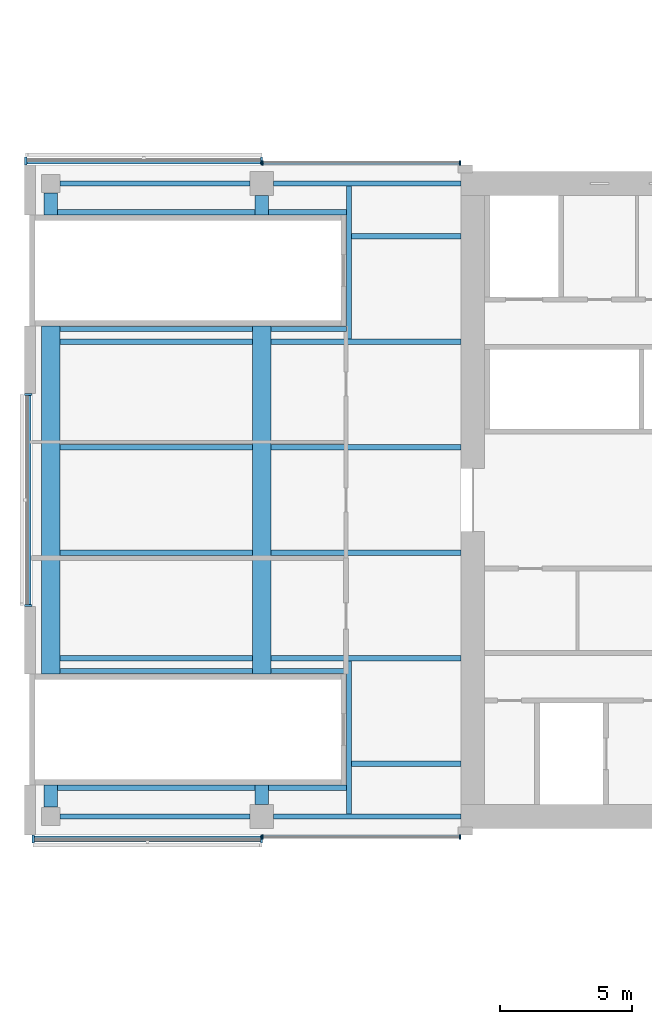
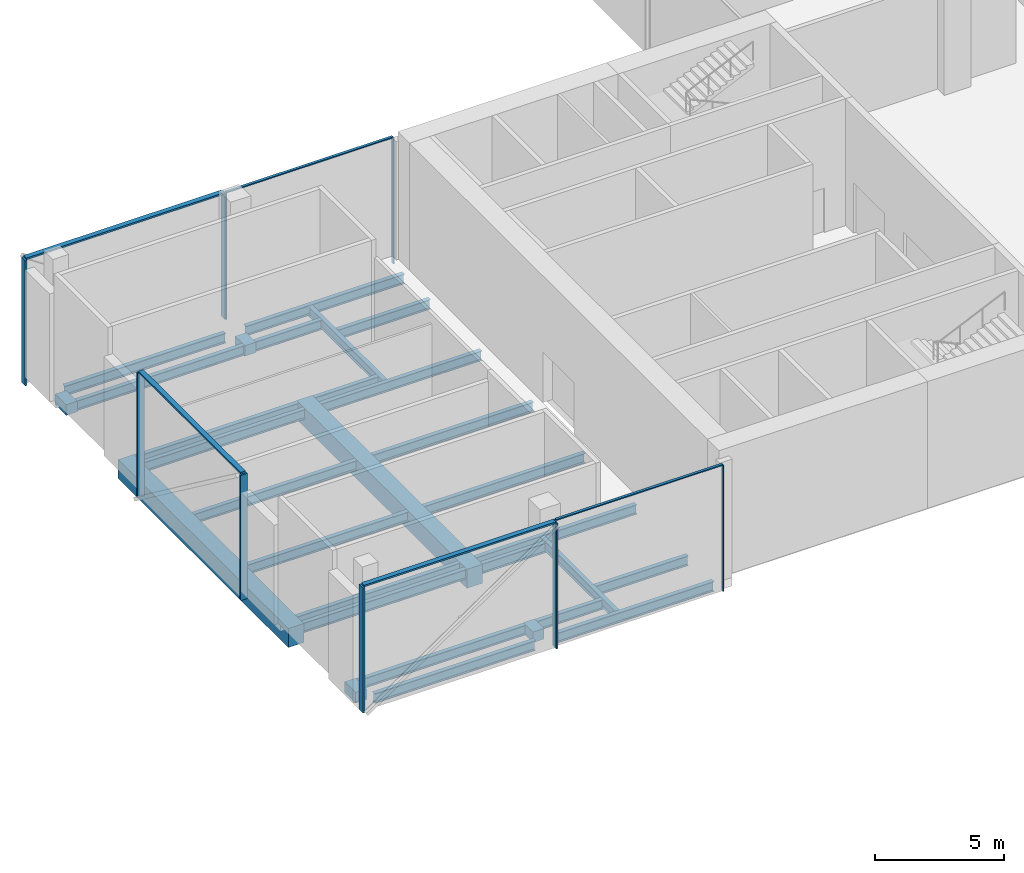
# One storey, part 4 of 23: 30 beams, 15 members, 5 elements without a shape of their own.
"""IFC4 building model written with IfcOpenShell, lengths in metres."""

from ifc_helpers import new_model, si_unit, direction, frame, origin, origin_2d, place, context, subcontext, project, spatial, rectangle, i_section, extrude, material, material_profile, profile_set, type_object, element, aggregate, save


model = new_model("IFC4")

# Units and contexts
model_context = context("Model", 3, precision=1e-05, world=origin(), true_north=direction((0.0, 1.0)))
body_context = subcontext(model_context, "Body", "Model", "MODEL_VIEW")
ifc_project = project(units=[si_unit("LENGTHUNIT", "METRE"), si_unit("AREAUNIT", "SQUARE_METRE"), si_unit("VOLUMEUNIT", "CUBIC_METRE"), si_unit("PLANEANGLEUNIT", "RADIAN"), si_unit("MASSUNIT", "GRAM", prefix="KILO")], contexts=[model_context])

# Site, building, storey
site_placement = place(None, origin())
site = spatial("IfcSite", under=ifc_project, at=site_placement, CompositionType="ELEMENT")
building_placement = place(site_placement, origin())
building = spatial("IfcBuilding", under=site, at=building_placement, Name="Crosswind Convention Tower", CompositionType="ELEMENT")
storey_placement = place(building_placement, frame((0.0, 0.0, 41.5)))
storey = spatial("IfcBuildingStorey", under=building, at=storey_placement, Name="L05", CompositionType="ELEMENT", Elevation=41.5)

# Beams
ifc_material_1 = material(Name="Steel S355", Category="steel")
ifc_material_profile_1 = material_profile(ifc_material_1, i_section(OverallWidth=0.19287109375, OverallDepth=0.467529296875, WebThickness=0.011474609375, FlangeThickness=0.01953125, FilletRadius=0.01025390625, at=origin_2d()), Name="UB 457x191x98")
ifc_profile_set_1 = profile_set([ifc_material_profile_1], Name="Steel S355")
beam_type_1 = type_object("IfcBeamType", Name="Edge beam UB 457x191x98", PredefinedType="SPANDREL", material=ifc_profile_set_1)
for number, where, z_axis, x_axis, name in (
    (1, (81.35009765625, 88.0, -0.6337890625), (1.0, 0.0, 0.0), (0.0, 1.0, 0.0), "B20 L05 edge beam 1"),
    (2, (81.35009765625, 112.0, -0.6337890625), (1.0, 0.0, 0.0), (0.0, 1.0, 0.0), "B20 L05 edge beam 2"),
):
    element("IfcBeam", number, at=place(storey_placement, frame(where, z_axis=z_axis, x_axis=x_axis)), inside=storey, type_object=beam_type_1, Name=name, PredefinedType="SPANDREL", context=body_context, shape_type="SweptSolid", body=[
        extrude(i_section(OverallWidth=0.19287109375, OverallDepth=0.467529296875, WebThickness=0.011474609375, FlangeThickness=0.01953125, FilletRadius=0.01025390625, at=origin_2d()), origin(), (0.0, 0.0, 1.0), 7.199951171875),
    ])
for number, where, z_axis, x_axis, name in (
    (3, (89.449951171875, 88.0, -0.6337890625), (1.0, 0.0, 0.0), (0.0, 1.0, 0.0), "B20 L05 edge beam 3"),
    (4, (89.449951171875, 112.0, -0.6337890625), (1.0, 0.0, 0.0), (0.0, 1.0, 0.0), "B20 L05 edge beam 4"),
):
    element("IfcBeam", number, at=place(storey_placement, frame(where, z_axis=z_axis, x_axis=x_axis)), inside=storey, type_object=beam_type_1, Name=name, PredefinedType="SPANDREL", context=body_context, shape_type="SweptSolid", body=[
        extrude(i_section(OverallWidth=0.19287109375, OverallDepth=0.467529296875, WebThickness=0.011474609375, FlangeThickness=0.01953125, FilletRadius=0.01025390625, at=origin_2d()), origin(), (0.0, 0.0, 1.0), 7.10009765625),
    ])

# Curtain wall, members
ifc_material_2 = material(Name="Aluminium unitised curtain wall", Category="aluminium")
curtain_wall_type_1 = type_object("IfcCurtainWallType", Name="CORE END SLOT WALL 160", PredefinedType="USERDEFINED", material=ifc_material_2)
curtain_wall_1_placement = place(storey_placement, origin())
curtain_wall_1 = element("IfcCurtainWall", 5, at=curtain_wall_1_placement, inside=storey, type_object=curtain_wall_type_1, Name="CW6 L05 W-N.2-1 slot", ObjectType="UNITISED", PredefinedType="USERDEFINED")
ifc_material_3 = material(Name="Aluminium mullion", Category="aluminium")
ifc_material_profile_2 = material_profile(ifc_material_3, rectangle(XDim=0.159912109375, YDim=0.050048828125, at=origin_2d()), Name="AL 160X50")
ifc_profile_set_2 = profile_set([ifc_material_profile_2], Name="Aluminium mullion")
member_type_1 = type_object("IfcMemberType", Name="MULLION 50X160", PredefinedType="MULLION", material=ifc_profile_set_2)
member_1_placement = place(storey_placement, frame((96.52490234375, 112.780029296875, -0.39990234375), z_axis=(0.0, 0.0, 1.0), x_axis=(0.0, 1.0, 0.0)))
member_1 = element("IfcMember", 6, at=member_1_placement, type_object=member_type_1, Name="CW6 mullion 1", PredefinedType="MULLION", context=body_context, shape_type="SweptSolid", body=[
    extrude(rectangle(XDim=0.159912109375, YDim=0.050048828125, at=origin_2d()), origin(), (0.0, 0.0, 1.0), 5.949951171875),
])
member_2_placement = place(storey_placement, frame((89.02490234375, 112.780029296875, -0.39990234375), z_axis=(0.0, 0.0, 1.0), x_axis=(0.0, 1.0, 0.0)))
member_2 = element("IfcMember", 7, at=member_2_placement, type_object=member_type_1, Name="CW6 mullion 2", PredefinedType="MULLION", context=body_context, shape_type="SweptSolid", body=[
    extrude(rectangle(XDim=0.159912109375, YDim=0.050048828125, at=origin_2d()), origin(), (0.0, 0.0, 1.0), 5.949951171875),
])

curtain_wall_2_placement = place(storey_placement, origin())
curtain_wall_2 = element("IfcCurtainWall", 8, at=curtain_wall_2_placement, inside=storey, type_object=curtain_wall_type_1, Name="CW6 L05 W-S.1-2 slot", ObjectType="UNITISED", PredefinedType="USERDEFINED")
member_3_placement = place(storey_placement, frame((89.02490234375, 87.219970703125, -0.39990234375), z_axis=(0.0, 0.0, 1.0), x_axis=(0.0, -1.0, 0.0)))
member_3 = element("IfcMember", 9, at=member_3_placement, type_object=member_type_1, Name="CW6 mullion 1", PredefinedType="MULLION", context=body_context, shape_type="SweptSolid", body=[
    extrude(rectangle(XDim=0.159912109375, YDim=0.050048828125, at=origin_2d()), origin(), (0.0, 0.0, 1.0), 5.949951171875),
])
member_4_placement = place(storey_placement, frame((96.52490234375, 87.219970703125, -0.39990234375), z_axis=(0.0, 0.0, 1.0), x_axis=(0.0, -1.0, 0.0)))
member_4 = element("IfcMember", 10, at=member_4_placement, type_object=member_type_1, Name="CW6 mullion 2", PredefinedType="MULLION", context=body_context, shape_type="SweptSolid", body=[
    extrude(rectangle(XDim=0.159912109375, YDim=0.050048828125, at=origin_2d()), origin(), (0.0, 0.0, 1.0), 5.949951171875),
])

curtain_wall_type_2 = type_object("IfcCurtainWallType", Name="PODIUM UNITISED WALL 300", PredefinedType="USERDEFINED", material=ifc_material_2)
curtain_wall_3_placement = place(storey_placement, origin())
curtain_wall_3 = element("IfcCurtainWall", 11, at=curtain_wall_3_placement, inside=storey, type_object=curtain_wall_type_2, Name="CW1 L05 W-N 2", ObjectType="UNITISED", PredefinedType="USERDEFINED")
ifc_material_profile_3 = material_profile(ifc_material_3, rectangle(XDim=0.300048828125, YDim=0.080078125, at=origin_2d()), Name="AL 300X80")
ifc_profile_set_3 = profile_set([ifc_material_profile_3], Name="Aluminium mullion")
member_type_2 = type_object("IfcMemberType", Name="MULLION 80X300", PredefinedType="MULLION", material=ifc_profile_set_3)
member_5_placement = place(storey_placement, frame((89.0, 112.85009765625, -0.39990234375), z_axis=(0.0, 0.0, 1.0), x_axis=(0.0, 1.0, 0.0)))
member_5 = element("IfcMember", 12, at=member_5_placement, type_object=member_type_2, Name="CW1 mullion 1", PredefinedType="MULLION", context=body_context, shape_type="SweptSolid", body=[
    extrude(rectangle(XDim=0.300048828125, YDim=0.080078125, at=origin_2d()), origin(), (0.0, 0.0, 1.0), 5.919921875),
])
member_6_placement = place(storey_placement, frame((80.054931640625, 112.85009765625, -0.39990234375), z_axis=(0.0, 0.0, 1.0), x_axis=(0.0, 1.0, 0.0)))
member_6 = element("IfcMember", 13, at=member_6_placement, type_object=member_type_2, Name="CW1 mullion 2", PredefinedType="MULLION", context=body_context, shape_type="SweptSolid", body=[
    extrude(rectangle(XDim=0.300048828125, YDim=0.080078125, at=origin_2d()), origin(), (0.0, 0.0, 1.0), 5.919921875),
])

curtain_wall_4_placement = place(storey_placement, origin())
curtain_wall_4 = element("IfcCurtainWall", 14, at=curtain_wall_4_placement, inside=storey, type_object=curtain_wall_type_2, Name="CW1 L05 W-TIP 1", ObjectType="UNITISED", PredefinedType="USERDEFINED")
member_7_placement = place(storey_placement, frame((80.14990234375, 104.0, -0.39990234375), z_axis=(0.0, 0.0, 1.0), x_axis=(-1.0, 0.0, 0.0)))
member_7 = element("IfcMember", 15, at=member_7_placement, type_object=member_type_2, Name="CW1 mullion 1", PredefinedType="MULLION", context=body_context, shape_type="SweptSolid", body=[
    extrude(rectangle(XDim=0.300048828125, YDim=0.080078125, at=origin_2d()), origin(), (0.0, 0.0, 1.0), 5.919921875),
])
member_8_placement = place(storey_placement, frame((80.14990234375, 96.0, -0.39990234375), z_axis=(0.0, 0.0, 1.0), x_axis=(-1.0, 0.0, 0.0)))
member_8 = element("IfcMember", 16, at=member_8_placement, type_object=member_type_2, Name="CW1 mullion 2", PredefinedType="MULLION", context=body_context, shape_type="SweptSolid", body=[
    extrude(rectangle(XDim=0.300048828125, YDim=0.080078125, at=origin_2d()), origin(), (0.0, 0.0, 1.0), 5.919921875),
])

curtain_wall_5_placement = place(storey_placement, origin())
curtain_wall_5 = element("IfcCurtainWall", 17, at=curtain_wall_5_placement, inside=storey, type_object=curtain_wall_type_2, Name="CW1 L05 W-S 1", ObjectType="UNITISED", PredefinedType="USERDEFINED")
member_9_placement = place(storey_placement, frame((80.340087890625, 87.14990234375, -0.39990234375), z_axis=(0.0, 0.0, 1.0), x_axis=(0.0, -1.0, 0.0)))
member_9 = element("IfcMember", 18, at=member_9_placement, type_object=member_type_2, Name="CW1 mullion 1", PredefinedType="MULLION", context=body_context, shape_type="SweptSolid", body=[
    extrude(rectangle(XDim=0.300048828125, YDim=0.080078125, at=origin_2d()), origin(), (0.0, 0.0, 1.0), 5.919921875),
])
member_10_placement = place(storey_placement, frame((89.0, 87.14990234375, -0.39990234375), z_axis=(0.0, 0.0, 1.0), x_axis=(0.0, -1.0, 0.0)))
member_10 = element("IfcMember", 19, at=member_10_placement, type_object=member_type_2, Name="CW1 mullion 2", PredefinedType="MULLION", context=body_context, shape_type="SweptSolid", body=[
    extrude(rectangle(XDim=0.300048828125, YDim=0.080078125, at=origin_2d()), origin(), (0.0, 0.0, 1.0), 5.919921875),
])

# Beams
ifc_material_4 = material(Name="Concrete C60/75", Category="concrete")
ifc_material_profile_4 = material_profile(ifc_material_4, rectangle(XDim=0.699951171875, YDim=0.89990234375, at=origin_2d()), Name="RC 700X900")
ifc_profile_set_4 = profile_set([ifc_material_profile_4], Name="Concrete C60/75")
beam_type_2 = type_object("IfcBeamType", Name="Prestressed concrete girder between stair walls RC 700X900", PredefinedType="BEAM", material=ifc_profile_set_4)
for number, where, z_axis, x_axis, name in (
    (20, (81.0, 93.39990234375, -0.85009765625), (0.0, 1.0, 0.0), (-1.0, 0.0, 0.0), "B41 L05 prestressed concrete girder between stair walls 1"),
    (21, (89.0, 93.39990234375, -0.85009765625), (0.0, 1.0, 0.0), (-1.0, 0.0, 0.0), "B41 L05 prestressed concrete girder between stair walls 2"),
):
    element("IfcBeam", number, at=place(storey_placement, frame(where, z_axis=z_axis, x_axis=x_axis)), inside=storey, type_object=beam_type_2, Name=name, PredefinedType="BEAM", context=body_context, shape_type="SweptSolid", body=[
        extrude(rectangle(XDim=0.699951171875, YDim=0.89990234375, at=origin_2d()), origin(), (0.0, 0.0, 1.0), 13.2001953125),
    ])
ifc_material_profile_5 = material_profile(ifc_material_1, i_section(OverallWidth=0.19140625, OverallDepth=0.460205078125, WebThickness=0.010009765625, FlangeThickness=0.01611328125, FilletRadius=0.01025390625, at=origin_2d()), Name="UB 457x191x82")
ifc_profile_set_5 = profile_set([ifc_material_profile_5], Name="Steel S355")
beam_type_3 = type_object("IfcBeamType", Name="Secondary beam UB 457x191x82", PredefinedType="JOIST", material=ifc_profile_set_5)
for number, where, z_axis, x_axis, name in (
    (22, (81.35009765625, 94.0, -0.630126953125), (1.0, 0.0, 0.0), (0.0, 1.0, 0.0), "B13 L05 secondary beam 1"),
    (23, (81.35009765625, 98.0, -0.630126953125), (1.0, 0.0, 0.0), (0.0, 1.0, 0.0), "B13 L05 secondary beam 2"),
    (24, (81.35009765625, 102.0, -0.630126953125), (1.0, 0.0, 0.0), (0.0, 1.0, 0.0), "B13 L05 secondary beam 3"),
    (25, (81.35009765625, 106.0, -0.630126953125), (1.0, 0.0, 0.0), (0.0, 1.0, 0.0), "B13 L05 secondary beam 4"),
):
    element("IfcBeam", number, at=place(storey_placement, frame(where, z_axis=z_axis, x_axis=x_axis)), inside=storey, type_object=beam_type_3, Name=name, PredefinedType="JOIST", context=body_context, shape_type="SweptSolid", body=[
        extrude(i_section(OverallWidth=0.19140625, OverallDepth=0.460205078125, WebThickness=0.010009765625, FlangeThickness=0.01611328125, FilletRadius=0.01025390625, at=origin_2d()), origin(), (0.0, 0.0, 1.0), 7.2998046875),
    ])
for number, where, z_axis, x_axis, name in (
    (26, (89.35009765625, 94.0, -0.630126953125), (1.0, 0.0, 0.0), (0.0, 1.0, 0.0), "B13 L05 secondary beam 5"),
    (27, (89.35009765625, 98.0, -0.630126953125), (1.0, 0.0, 0.0), (0.0, 1.0, 0.0), "B13 L05 secondary beam 6"),
    (28, (89.35009765625, 102.0, -0.630126953125), (1.0, 0.0, 0.0), (0.0, 1.0, 0.0), "B13 L05 secondary beam 7"),
    (29, (89.35009765625, 106.0, -0.630126953125), (1.0, 0.0, 0.0), (0.0, 1.0, 0.0), "B13 L05 secondary beam 8"),
):
    element("IfcBeam", number, at=place(storey_placement, frame(where, z_axis=z_axis, x_axis=x_axis)), inside=storey, type_object=beam_type_3, Name=name, PredefinedType="JOIST", context=body_context, shape_type="SweptSolid", body=[
        extrude(i_section(OverallWidth=0.19140625, OverallDepth=0.460205078125, WebThickness=0.010009765625, FlangeThickness=0.01611328125, FilletRadius=0.01025390625, at=origin_2d()), origin(), (0.0, 0.0, 1.0), 7.199951171875),
    ])
for number, where, z_axis, x_axis, name in (
    (30, (92.406005859375, 90.0, -0.630126953125), (1.0, 0.0, 0.0), (0.0, 1.0, 0.0), "B13 L05 secondary beam 9"),
    (31, (92.406005859375, 110.0, -0.630126953125), (1.0, 0.0, 0.0), (0.0, 1.0, 0.0), "B13 L05 secondary beam 10"),
):
    element("IfcBeam", number, at=place(storey_placement, frame(where, z_axis=z_axis, x_axis=x_axis)), inside=storey, type_object=beam_type_3, Name=name, PredefinedType="JOIST", context=body_context, shape_type="SweptSolid", body=[
        extrude(i_section(OverallWidth=0.19140625, OverallDepth=0.460205078125, WebThickness=0.010009765625, FlangeThickness=0.01611328125, FilletRadius=0.01025390625, at=origin_2d()), origin(), (0.0, 0.0, 1.0), 4.14404296875),
    ])
ifc_material_profile_6 = material_profile(ifc_material_4, rectangle(XDim=0.5, YDim=0.5, at=origin_2d()), Name="RC 500X500")
ifc_profile_set_6 = profile_set([ifc_material_profile_6], Name="Concrete C60/75")
beam_type_4 = type_object("IfcBeamType", Name="Slab edge tie beam RC 500X500", PredefinedType="BEAM", material=ifc_profile_set_6)
for number, where, z_axis, x_axis, name in (
    (32, (81.0, 88.35009765625, -0.64990234375), (0.0, 1.0, 0.0), (-1.0, 0.0, 0.0), "B42 L05 slab edge tie beam 1"),
    (33, (81.0, 110.800048828125, -0.64990234375), (0.0, 1.0, 0.0), (-1.0, 0.0, 0.0), "B42 L05 slab edge tie beam 2"),
):
    element("IfcBeam", number, at=place(storey_placement, frame(where, z_axis=z_axis, x_axis=x_axis)), inside=storey, type_object=beam_type_4, Name=name, PredefinedType="BEAM", context=body_context, shape_type="SweptSolid", body=[
        extrude(rectangle(XDim=0.5, YDim=0.5, at=origin_2d()), origin(), (0.0, 0.0, 1.0), 0.849853515625),
    ])
for number, where, z_axis, x_axis, name in (
    (34, (89.0, 88.449951171875, -0.64990234375), (0.0, 1.0, 0.0), (-1.0, 0.0, 0.0), "B42 L05 slab edge tie beam 3"),
    (35, (89.0, 110.800048828125, -0.64990234375), (0.0, 1.0, 0.0), (-1.0, 0.0, 0.0), "B42 L05 slab edge tie beam 4"),
):
    element("IfcBeam", number, at=place(storey_placement, frame(where, z_axis=z_axis, x_axis=x_axis)), inside=storey, type_object=beam_type_4, Name=name, PredefinedType="BEAM", context=body_context, shape_type="SweptSolid", body=[
        extrude(rectangle(XDim=0.5, YDim=0.5, at=origin_2d()), origin(), (0.0, 0.0, 1.0), 0.75),
    ])

# Member
ifc_material_5 = material(Name="Aluminium transom", Category="aluminium")
ifc_material_profile_7 = material_profile(ifc_material_5, rectangle(XDim=0.1201171875, YDim=0.050048828125, at=origin_2d()), Name="AL 120X50")
ifc_profile_set_7 = profile_set([ifc_material_profile_7], Name="Aluminium transom")
member_type_3 = type_object("IfcMemberType", Name="TRANSOM 50X120", PredefinedType="USERDEFINED", material=ifc_profile_set_7)
member_11_placement = place(storey_placement, frame((96.5, 112.780029296875, 5.574951171875), z_axis=(-1.0, 0.0, 0.0), x_axis=(0.0, -1.0, 0.0)))
member_11 = element("IfcMember", 36, at=member_11_placement, type_object=member_type_3, Name="CW6 transom", ObjectType="TRANSOM", PredefinedType="USERDEFINED", context=body_context, shape_type="SweptSolid", body=[
    extrude(rectangle(XDim=0.1201171875, YDim=0.050048828125, at=origin_2d()), origin(), (0.0, 0.0, 1.0), 7.449951171875),
])

aggregate(curtain_wall_1, [member_1, member_2, member_11])

member_12_placement = place(storey_placement, frame((89.050048828125, 87.219970703125, 5.574951171875), z_axis=(1.0, 0.0, 0.0), x_axis=(0.0, 1.0, 0.0)))
member_12 = element("IfcMember", 37, at=member_12_placement, type_object=member_type_3, Name="CW6 transom", ObjectType="TRANSOM", PredefinedType="USERDEFINED", context=body_context, shape_type="SweptSolid", body=[
    extrude(rectangle(XDim=0.1201171875, YDim=0.050048828125, at=origin_2d()), origin(), (0.0, 0.0, 1.0), 7.449951171875),
])

aggregate(curtain_wall_2, [member_3, member_4, member_12])

ifc_material_profile_8 = material_profile(ifc_material_5, rectangle(XDim=0.219970703125, YDim=0.080078125, at=origin_2d()), Name="AL 220X80")
ifc_profile_set_8 = profile_set([ifc_material_profile_8], Name="Aluminium transom")
member_type_4 = type_object("IfcMemberType", Name="TRANSOM 80X220", PredefinedType="USERDEFINED", material=ifc_profile_set_8)
member_13_placement = place(storey_placement, frame((88.9599609375, 112.85009765625, 5.56005859375), z_axis=(-1.0, 0.0, 0.0), x_axis=(0.0, -1.0, 0.0)))
member_13 = element("IfcMember", 38, at=member_13_placement, type_object=member_type_4, Name="CW1 transom", ObjectType="TRANSOM", PredefinedType="USERDEFINED", context=body_context, shape_type="SweptSolid", body=[
    extrude(rectangle(XDim=0.219970703125, YDim=0.080078125, at=origin_2d()), origin(), (0.0, 0.0, 1.0), 8.864990234375),
])

aggregate(curtain_wall_3, [member_5, member_6, member_13])

member_14_placement = place(storey_placement, frame((80.14990234375, 103.9599609375, 5.56005859375), z_axis=(0.0, -1.0, 0.0), x_axis=(1.0, 0.0, 0.0)))
member_14 = element("IfcMember", 39, at=member_14_placement, type_object=member_type_4, Name="CW1 transom", ObjectType="TRANSOM", PredefinedType="USERDEFINED", context=body_context, shape_type="SweptSolid", body=[
    extrude(rectangle(XDim=0.219970703125, YDim=0.080078125, at=origin_2d()), origin(), (0.0, 0.0, 1.0), 7.919921875),
])

aggregate(curtain_wall_4, [member_7, member_8, member_14])

member_15_placement = place(storey_placement, frame((80.3798828125, 87.14990234375, 5.56005859375), z_axis=(1.0, 0.0, 0.0), x_axis=(0.0, 1.0, 0.0)))
member_15 = element("IfcMember", 40, at=member_15_placement, type_object=member_type_4, Name="CW1 transom", ObjectType="TRANSOM", PredefinedType="USERDEFINED", context=body_context, shape_type="SweptSolid", body=[
    extrude(rectangle(XDim=0.219970703125, YDim=0.080078125, at=origin_2d()), origin(), (0.0, 0.0, 1.0), 8.580078125),
])

aggregate(curtain_wall_5, [member_9, member_10, member_15])

# Beams
ifc_material_profile_9 = material_profile(ifc_material_1, i_section(OverallWidth=0.19189453125, OverallDepth=0.463623046875, WebThickness=0.010498046875, FlangeThickness=0.017578125, FilletRadius=0.01025390625, at=origin_2d()), Name="UB 457x191x90")
ifc_profile_set_9 = profile_set([ifc_material_profile_9], Name="Steel S355")
beam_type_5 = type_object("IfcBeamType", Name="Trimmer beam UB 457x191x90", PredefinedType="BEAM", material=ifc_profile_set_9)
for number, where, z_axis, x_axis, name in (
    (41, (88.64990234375, 93.510009765625, -0.6318359375), (-1.0, 0.0, 0.0), (0.0, -1.0, 0.0), "B33 L05 trimmer beam 1"),
    (42, (88.64990234375, 106.489990234375, -0.6318359375), (-1.0, 0.0, 0.0), (0.0, -1.0, 0.0), "B33 L05 trimmer beam 2"),
):
    element("IfcBeam", number, at=place(storey_placement, frame(where, z_axis=z_axis, x_axis=x_axis)), inside=storey, type_object=beam_type_5, Name=name, PredefinedType="BEAM", context=body_context, shape_type="SweptSolid", body=[
        extrude(i_section(OverallWidth=0.19189453125, OverallDepth=0.463623046875, WebThickness=0.010498046875, FlangeThickness=0.017578125, FilletRadius=0.01025390625, at=origin_2d()), origin(), (0.0, 0.0, 1.0), 7.2998046875),
    ])
for number, where, z_axis, x_axis, name in (
    (43, (88.75, 89.090087890625, -0.6318359375), (-1.0, 0.0, 0.0), (0.0, -1.0, 0.0), "B33 L05 trimmer beam 3"),
    (44, (88.75, 110.909912109375, -0.6318359375), (-1.0, 0.0, 0.0), (0.0, -1.0, 0.0), "B33 L05 trimmer beam 4"),
):
    element("IfcBeam", number, at=place(storey_placement, frame(where, z_axis=z_axis, x_axis=x_axis)), inside=storey, type_object=beam_type_5, Name=name, PredefinedType="BEAM", context=body_context, shape_type="SweptSolid", body=[
        extrude(i_section(OverallWidth=0.19189453125, OverallDepth=0.463623046875, WebThickness=0.010498046875, FlangeThickness=0.017578125, FilletRadius=0.01025390625, at=origin_2d()), origin(), (0.0, 0.0, 1.0), 7.5),
    ])
beam_1_placement = place(storey_placement, frame((92.214111328125, 89.090087890625, -0.6318359375), z_axis=(-1.0, 0.0, 0.0), x_axis=(0.0, -1.0, 0.0)))
element("IfcBeam", 45, at=beam_1_placement, inside=storey, type_object=beam_type_5, Name="B33 L05 trimmer beam 5", PredefinedType="BEAM", context=body_context, shape_type="SweptSolid", body=[
    extrude(i_section(OverallWidth=0.19189453125, OverallDepth=0.463623046875, WebThickness=0.010498046875, FlangeThickness=0.017578125, FilletRadius=0.01025390625, at=origin_2d()), origin(), (0.0, 0.0, 1.0), 2.964111328125),
])
for number, where, z_axis, x_axis, name in (
    (46, (92.214111328125, 93.510009765625, -0.6318359375), (-1.0, 0.0, 0.0), (0.0, -1.0, 0.0), "B33 L05 trimmer beam 6"),
    (47, (92.214111328125, 106.489990234375, -0.6318359375), (-1.0, 0.0, 0.0), (0.0, -1.0, 0.0), "B33 L05 trimmer beam 7"),
):
    element("IfcBeam", number, at=place(storey_placement, frame(where, z_axis=z_axis, x_axis=x_axis)), inside=storey, type_object=beam_type_5, Name=name, PredefinedType="BEAM", context=body_context, shape_type="SweptSolid", body=[
        extrude(i_section(OverallWidth=0.19189453125, OverallDepth=0.463623046875, WebThickness=0.010498046875, FlangeThickness=0.017578125, FilletRadius=0.01025390625, at=origin_2d()), origin(), (0.0, 0.0, 1.0), 2.864013671875),
    ])
beam_2_placement = place(storey_placement, frame((92.214111328125, 110.909912109375, -0.6318359375), z_axis=(-1.0, 0.0, 0.0), x_axis=(0.0, -1.0, 0.0)))
element("IfcBeam", 48, at=beam_2_placement, inside=storey, type_object=beam_type_5, Name="B33 L05 trimmer beam 8", PredefinedType="BEAM", context=body_context, shape_type="SweptSolid", body=[
    extrude(i_section(OverallWidth=0.19189453125, OverallDepth=0.463623046875, WebThickness=0.010498046875, FlangeThickness=0.017578125, FilletRadius=0.01025390625, at=origin_2d()), origin(), (0.0, 0.0, 1.0), 2.964111328125),
])
for number, where, z_axis, x_axis, name in (
    (49, (92.31005859375, 88.096435546875, -0.6318359375), (0.0, 1.0, 0.0), (-1.0, 0.0, 0.0), "B33 L05 trimmer beam 9"),
    (50, (92.31005859375, 106.095703125, -0.6318359375), (0.0, 1.0, 0.0), (-1.0, 0.0, 0.0), "B33 L05 trimmer beam 10"),
):
    element("IfcBeam", number, at=place(storey_placement, frame(where, z_axis=z_axis, x_axis=x_axis)), inside=storey, type_object=beam_type_5, Name=name, PredefinedType="BEAM", context=body_context, shape_type="SweptSolid", body=[
        extrude(i_section(OverallWidth=0.19189453125, OverallDepth=0.463623046875, WebThickness=0.010498046875, FlangeThickness=0.017578125, FilletRadius=0.01025390625, at=origin_2d()), origin(), (0.0, 0.0, 1.0), 5.807861328125),
    ])

save(model, "model.ifc")
